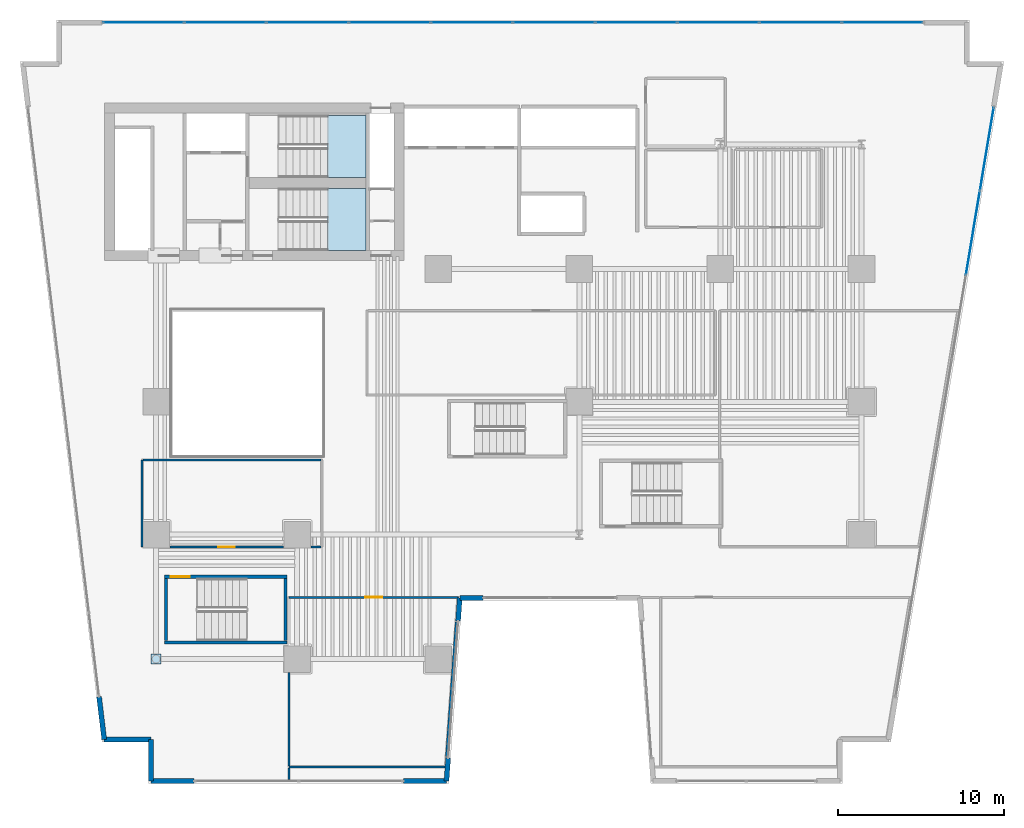
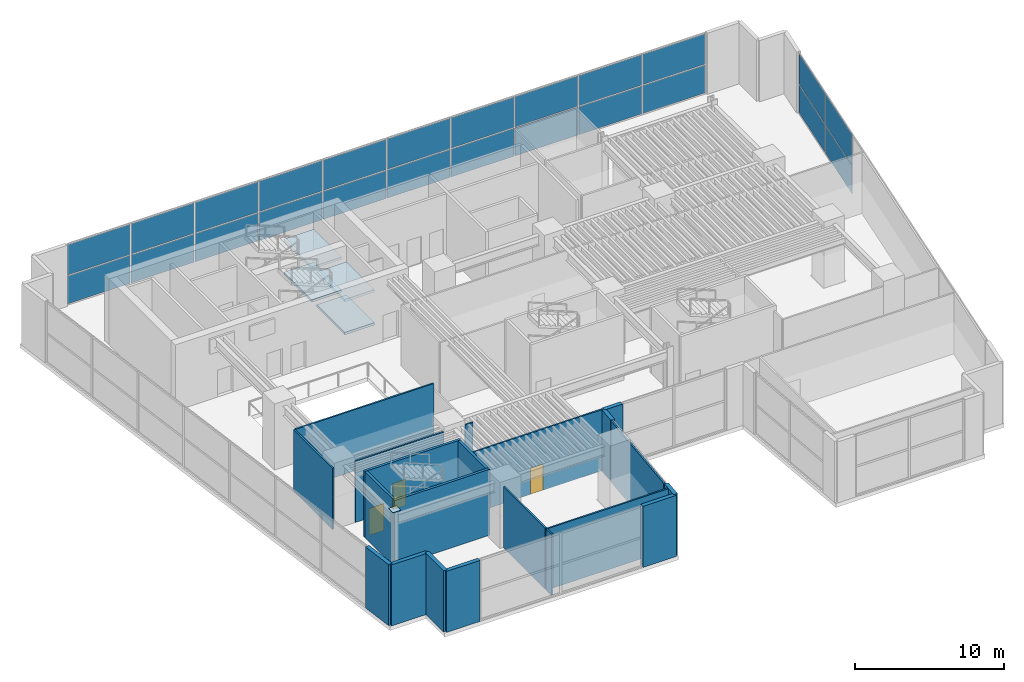
# One storey, part 8 of 16: 25 plates, 21 walls, 4 slabs, 3 doors, 3 openings, 4 elements without a shape of their own.
"""IFC4 building model written with IfcOpenShell, lengths in metres."""

import ifcopenshell
import ifcopenshell.guid

model = None  # the IFC model being written
_history = None  # IfcOwnerHistory: only IFC2X3 demands one
_inside = {}  # id of a spatial element -> (the spatial element, [elements in it])
_under = {}  # id of a project, library or spatial element -> (it, [spatial elements below it])
_declared = {}  # id of a project -> (the project, [libraries it declares])
_typed = {}  # id of a type object -> (the type object, [elements of that type])
_made_of = {}  # id of a material, layer set ... -> (it, [elements and type objects made of it])


def new_model(schema):
    """Start an empty IFC model of exactly this schema.

    Asked for "IFC4X3", IfcOpenShell would pick the latest addendum, in which some entities
    have other attributes; the version numbers below select the first issue.
    IFC2X3 requires an IfcOwnerHistory on every rooted entity: one is made here for all.
    """
    global model, _history
    if schema == "IFC4X3":
        model = ifcopenshell.file(schema_version=(4, 3, 0, 0))
    else:
        model = ifcopenshell.file(schema=schema)
    _inside.clear()
    _under.clear()
    _declared.clear()
    _typed.clear()
    _made_of.clear()
    _history = None
    if model.schema == "IFC2X3":
        org = make("IfcOrganization", Name="unknown")
        user = make(
            "IfcPersonAndOrganization",
            ThePerson=make("IfcPerson", FamilyName="unknown"),
            TheOrganization=org,
        )
        app = make(
            "IfcApplication",
            ApplicationDeveloper=org,
            Version="unknown",
            ApplicationFullName="unknown",
            ApplicationIdentifier="unknown",
        )
        _history = make(
            "IfcOwnerHistory",
            OwningUser=user,
            OwningApplication=app,
            ChangeAction="ADDED",
            CreationDate=0,
        )
    return model


def make(cls, **values):
    """One entity of the class cls with the attributes given. An attribute that is None is left unset."""
    return model.create_entity(
        cls, **{name: value for name, value in values.items() if value is not None}
    )


def rooted(cls, **values):
    """An entity with a GlobalId (a new one), such as an element, a storey or a relation."""
    return make(cls, GlobalId=ifcopenshell.guid.new(), OwnerHistory=_history, **values)


def si_unit(unit_type, name, prefix=None):
    """IfcSIUnit, for example si_unit("LENGTHUNIT", "METRE", prefix="MILLI")."""
    return make("IfcSIUnit", UnitType=unit_type, Prefix=prefix, Name=name)


def assignment(units):
    """IfcUnitAssignment: the units of a project."""
    return None if units is None else make("IfcUnitAssignment", Units=units)


def point(xyz):
    """IfcCartesianPoint."""
    return None if xyz is None else make("IfcCartesianPoint", Coordinates=xyz)


def direction(xyz):
    """IfcDirection."""
    return None if xyz is None else make("IfcDirection", DirectionRatios=xyz)


def frame(location, z_axis=None, x_axis=None):
    """IfcAxis2Placement3D, a coordinate frame: its origin and axes. An axis left out is left unset."""
    return make(
        "IfcAxis2Placement3D",
        Location=point(location),
        Axis=direction(z_axis),
        RefDirection=direction(x_axis),
    )


def frame_2d(location, x_axis=None):
    """IfcAxis2Placement2D, a coordinate frame in the plane: its origin and x axis."""
    return make(
        "IfcAxis2Placement2D", Location=point(location), RefDirection=direction(x_axis)
    )


def origin():
    """The frame at (0, 0, 0) with its axes left unset."""
    return frame((0.0, 0.0, 0.0))


def origin_2d():
    """The frame at (0, 0) in the plane with its x axis left unset."""
    return frame_2d((0.0, 0.0))


def place(relative_to, where):
    """IfcLocalPlacement: puts the frame where relative to a parent placement (None: the world)."""
    return make(
        "IfcLocalPlacement", PlacementRelTo=relative_to, RelativePlacement=where
    )


def context(
    kind, dimensions, precision=None, world=None, true_north=None, identifier=None
):
    """IfcGeometricRepresentationContext, for example the 3D "Model" context."""
    return make(
        "IfcGeometricRepresentationContext",
        ContextIdentifier=identifier,
        ContextType=kind,
        CoordinateSpaceDimension=dimensions,
        Precision=precision,
        WorldCoordinateSystem=world,
        TrueNorth=true_north,
    )


def subcontext(parent, identifier, kind, view, scale=None):
    """IfcGeometricRepresentationSubContext, for example "Body" below "Model"."""
    return make(
        "IfcGeometricRepresentationSubContext",
        ContextIdentifier=identifier,
        ContextType=kind,
        ParentContext=parent,
        TargetScale=scale,
        TargetView=view,
    )


def project(units=None, contexts=None):
    """IfcProject with its units and contexts."""
    return rooted(
        "IfcProject",
        Name="project",
        RepresentationContexts=contexts,
        UnitsInContext=assignment(units),
    )


def spatial(cls, under=None, at=None, **own):
    """A site, building, storey or space (cls), placed at a placement, below another one or the project."""
    s = rooted(cls, ObjectPlacement=at, **own)
    if under is not None:
        _under.setdefault(under.id(), (under, []))[1].append(s)
    return s


def polyline(points):
    """IfcPolyline through the points."""
    return make("IfcPolyline", Points=[point(p) for p in points])


def profile(cls, at=None, kind="AREA", **sizes):
    """A parametric profile (cls). Its sizes go by their IFC names, for example OverallWidth=200.0."""
    return make(cls, ProfileType=kind, Position=at, **sizes)


def rectangle(**sizes):
    """IfcRectangleProfileDef."""
    return profile("IfcRectangleProfileDef", **sizes)


def outline(outer, holes=None, kind="AREA"):
    """IfcArbitraryClosedProfileDef: a profile drawn as a closed curve; with holes, ...WithVoids."""
    if holes is None:
        return make("IfcArbitraryClosedProfileDef", ProfileType=kind, OuterCurve=outer)
    return make(
        "IfcArbitraryProfileDefWithVoids",
        ProfileType=kind,
        OuterCurve=outer,
        InnerCurves=holes,
    )


def extrude(swept, where, along, depth):
    """IfcExtrudedAreaSolid: the profile swept, set in the frame where, extruded along a direction by depth."""
    return make(
        "IfcExtrudedAreaSolid",
        SweptArea=swept,
        Position=where,
        ExtrudedDirection=direction(along),
        Depth=depth,
    )


def shape(context_of_items, identifier, shape_type, items):
    """IfcShapeRepresentation: the items that make up one representation, for example the "Body"."""
    return make(
        "IfcShapeRepresentation",
        ContextOfItems=context_of_items,
        RepresentationIdentifier=identifier,
        RepresentationType=shape_type,
        Items=items,
    )


def material(Name=None, Category=None):
    """IfcMaterial."""
    return make("IfcMaterial", Name=Name, Category=Category)


def layer(
    of_material, thickness, ventilated=None, Name=None, Category=None, Priority=None
):
    """IfcMaterialLayer: one layer of a wall or slab, of a material (None: an air gap)."""
    return make(
        "IfcMaterialLayer",
        Material=of_material,
        LayerThickness=thickness,
        IsVentilated=ventilated,
        Name=Name,
        Category=Category,
        Priority=Priority,
    )


def layer_set(layers, Name=None):
    """IfcMaterialLayerSet."""
    return make("IfcMaterialLayerSet", MaterialLayers=layers, LayerSetName=Name)


def made_of(thing, what):
    """Note that an element or type object is made of a material, layer set ...; save() writes the relation."""
    if what is not None:
        _made_of.setdefault(what.id(), (what, []))[1].append(thing)
    return thing


def type_object(cls, material=None, **own):
    """A type object (cls), such as IfcWallType, which elements share."""
    return made_of(rooted(cls, **own), material)


def element(
    cls,
    number,
    at=None,
    inside=None,
    cuts=None,
    type_object=None,
    material=None,
    context=None,
    identifier="Body",
    shape_type=None,
    held_by="IfcProductDefinitionShape",
    body=None,
    shapes=None,
    **own,
):
    """One element of the class cls, such as IfcWall. Its Tag is "e" and its number.

    at: its placement. inside: the storey or other place that contains it. cuts: it is an
    opening in that element (IfcRelVoidsElement). A single representation is given by context,
    identifier, shape_type and body (its items); several are given by shapes. held_by: the class
    of the entity that holds the representations. save() writes the other relations.
    """
    e = rooted(cls, Tag="e%d" % number, ObjectPlacement=at, **own)
    if body is not None:
        shapes = [shape(context, identifier, shape_type, body)]
    if shapes is not None:
        e.Representation = make(held_by, Representations=shapes)
    if inside is not None:
        _inside.setdefault(inside.id(), (inside, []))[1].append(e)
    if cuts is not None:
        rooted(
            "IfcRelVoidsElement", RelatingBuildingElement=cuts, RelatedOpeningElement=e
        )
    if type_object is not None:
        _typed.setdefault(type_object.id(), (type_object, []))[1].append(e)
    return made_of(e, material)


def fill(opening, filler):
    """IfcRelFillsElement: the door or window that sits in an opening."""
    return rooted(
        "IfcRelFillsElement",
        RelatingOpeningElement=opening,
        RelatedBuildingElement=filler,
    )


def aggregate(whole, parts):
    """IfcRelAggregates: a whole, such as a stair, and the parts it consists of."""
    return rooted("IfcRelAggregates", RelatingObject=whole, RelatedObjects=parts)


def save(model, path):
    """Write the relations noted so far, then the file.

    IfcRelAggregates (storeys below a building ...), IfcRelContainedInSpatialStructure (elements
    in a storey), IfcRelDefinesByType, IfcRelAssociatesMaterial and IfcRelDeclares: one each for
    every whole, place, type object, material and project.
    """
    for whole, parts in _under.values():
        aggregate(whole, parts)
    for where, things in _inside.values():
        rooted(
            "IfcRelContainedInSpatialStructure",
            RelatedElements=things,
            RelatingStructure=where,
        )
    for kind, things in _typed.values():
        rooted("IfcRelDefinesByType", RelatedObjects=things, RelatingType=kind)
    for what, things in _made_of.values():
        rooted("IfcRelAssociatesMaterial", RelatedObjects=things, RelatingMaterial=what)
    for by, libraries in _declared.values():
        rooted("IfcRelDeclares", RelatingContext=by, RelatedDefinitions=libraries)
    model.write(path)


model = new_model("IFC4")

# Units and contexts
model_context = context("Model", 3, precision=1e-05, world=origin(), true_north=direction((0.0, 1.0)))
body_context = subcontext(model_context, "Body", "Model", "MODEL_VIEW")
ifc_project = project(units=[si_unit("LENGTHUNIT", "METRE"), si_unit("AREAUNIT", "SQUARE_METRE"), si_unit("VOLUMEUNIT", "CUBIC_METRE"), si_unit("PLANEANGLEUNIT", "RADIAN"), si_unit("MASSUNIT", "GRAM", prefix="KILO")], contexts=[model_context])

# Site, building, storey
site_placement = place(None, origin())
site = spatial("IfcSite", under=ifc_project, at=site_placement, CompositionType="ELEMENT")
building_placement = place(site_placement, origin())
building = spatial("IfcBuilding", under=site, at=building_placement, Name="Caeloran Harvest Quay", CompositionType="ELEMENT")
storey_placement = place(building_placement, frame((0.0, 0.0, 16.199951171875)))
storey = spatial("IfcBuildingStorey", under=building, at=storey_placement, Name="L04", CompositionType="ELEMENT", Elevation=16.199951171875)

# Curtain wall, plates
ifc_material_1 = material(Name="Aluminium 6063-T6 and Low-E Glazing", Category="aluminium")
ifc_layer_1 = layer(ifc_material_1, 0.179931640625, Name="Aluminium 6063-T6 and Low-E Glazing")
ifc_layer_set_1 = layer_set([ifc_layer_1], Name="Aluminium 6063-T6 and Low-E Glazing")
curtain_wall_type = type_object("IfcCurtainWallType", Name="CW-SYS-CW-1", PredefinedType="USERDEFINED", material=ifc_layer_set_1)
curtain_wall_1_placement = place(storey_placement, origin())
curtain_wall_1 = element("IfcCurtainWall", 1, at=curtain_wall_1_placement, inside=storey, type_object=curtain_wall_type, Name="L04 Unitised Curtain Wall CW-1 Run 6", ObjectType="CURTAIN_WALL", PredefinedType="USERDEFINED")
ifc_material_2 = material(Name="Low-E Double Glazed Vision Glass Unit", Category="glass")
ifc_layer_2 = layer(ifc_material_2, 0.035888671875, Name="Low-E Double Glazed Vision Glass Unit")
ifc_layer_set_2 = layer_set([ifc_layer_2], Name="Low-E Double Glazed Vision Glass Unit")
plate_type_1 = type_object("IfcPlateType", Name="CW-VISION-PANEL", PredefinedType="CURTAIN_PANEL", material=ifc_layer_set_2)
plate_1_placement = place(storey_placement, frame((7.7451171875, 45.85009765625, 0.080078125), z_axis=(0.0, 0.0, 1.0), x_axis=(1.0, 0.0, 0.0)))
plate_1 = element("IfcPlate", 2, at=plate_1_placement, type_object=plate_type_1, Name="CW-1 panel 1.1", PredefinedType="CURTAIN_PANEL", context=body_context, shape_type="SweptSolid", body=[
    extrude(rectangle(XDim=4.830078125, YDim=0.035888671875, at=origin_2d()), origin(), (0.0, 0.0, 1.0), 2.280029296875),
])
plate_2_placement = place(storey_placement, frame((7.7451171875, 45.85009765625, 2.43994140625), z_axis=(0.0, 0.0, 1.0), x_axis=(1.0, 0.0, 0.0)))
plate_2 = element("IfcPlate", 3, at=plate_2_placement, type_object=plate_type_1, Name="CW-1 panel 1.2", PredefinedType="CURTAIN_PANEL", context=body_context, shape_type="SweptSolid", body=[
    extrude(rectangle(XDim=4.830078125, YDim=0.035888671875, at=origin_2d()), origin(), (0.0, 0.0, 1.0), 2.47998046875),
])
plate_3_placement = place(storey_placement, frame((12.675048828125, 45.85009765625, 0.080078125), z_axis=(0.0, 0.0, 1.0), x_axis=(1.0, 0.0, 0.0)))
plate_3 = element("IfcPlate", 4, at=plate_3_placement, type_object=plate_type_1, Name="CW-1 panel 2.1", PredefinedType="CURTAIN_PANEL", context=body_context, shape_type="SweptSolid", body=[
    extrude(rectangle(XDim=4.8701171875, YDim=0.035888671875, at=origin_2d()), origin(), (0.0, 0.0, 1.0), 2.280029296875),
])
plate_4_placement = place(storey_placement, frame((12.675048828125, 45.85009765625, 2.43994140625), z_axis=(0.0, 0.0, 1.0), x_axis=(1.0, 0.0, 0.0)))
plate_4 = element("IfcPlate", 5, at=plate_4_placement, type_object=plate_type_1, Name="CW-1 panel 2.2", PredefinedType="CURTAIN_PANEL", context=body_context, shape_type="SweptSolid", body=[
    extrude(rectangle(XDim=4.8701171875, YDim=0.035888671875, at=origin_2d()), origin(), (0.0, 0.0, 1.0), 2.47998046875),
])
plate_5_placement = place(storey_placement, frame((17.625, 45.85009765625, 0.080078125), z_axis=(0.0, 0.0, 1.0), x_axis=(1.0, 0.0, 0.0)))
plate_5 = element("IfcPlate", 6, at=plate_5_placement, type_object=plate_type_1, Name="CW-1 panel 3.1", PredefinedType="CURTAIN_PANEL", context=body_context, shape_type="SweptSolid", body=[
    extrude(rectangle(XDim=4.8701171875, YDim=0.035888671875, at=origin_2d()), origin(), (0.0, 0.0, 1.0), 2.280029296875),
])
plate_6_placement = place(storey_placement, frame((17.625, 45.85009765625, 2.43994140625), z_axis=(0.0, 0.0, 1.0), x_axis=(1.0, 0.0, 0.0)))
plate_6 = element("IfcPlate", 7, at=plate_6_placement, type_object=plate_type_1, Name="CW-1 panel 3.2", PredefinedType="CURTAIN_PANEL", context=body_context, shape_type="SweptSolid", body=[
    extrude(rectangle(XDim=4.8701171875, YDim=0.035888671875, at=origin_2d()), origin(), (0.0, 0.0, 1.0), 2.47998046875),
])
plate_7_placement = place(storey_placement, frame((22.574951171875, 45.85009765625, 0.080078125), z_axis=(0.0, 0.0, 1.0), x_axis=(1.0, 0.0, 0.0)))
plate_7 = element("IfcPlate", 8, at=plate_7_placement, type_object=plate_type_1, Name="CW-1 panel 4.1", PredefinedType="CURTAIN_PANEL", context=body_context, shape_type="SweptSolid", body=[
    extrude(rectangle(XDim=4.8701171875, YDim=0.035888671875, at=origin_2d()), origin(), (0.0, 0.0, 1.0), 2.280029296875),
])
plate_8_placement = place(storey_placement, frame((22.574951171875, 45.85009765625, 2.43994140625), z_axis=(0.0, 0.0, 1.0), x_axis=(1.0, 0.0, 0.0)))
plate_8 = element("IfcPlate", 9, at=plate_8_placement, type_object=plate_type_1, Name="CW-1 panel 4.2", PredefinedType="CURTAIN_PANEL", context=body_context, shape_type="SweptSolid", body=[
    extrude(rectangle(XDim=4.8701171875, YDim=0.035888671875, at=origin_2d()), origin(), (0.0, 0.0, 1.0), 2.47998046875),
])
plate_9_placement = place(storey_placement, frame((27.52490234375, 45.85009765625, 0.080078125), z_axis=(0.0, 0.0, 1.0), x_axis=(1.0, 0.0, 0.0)))
plate_9 = element("IfcPlate", 10, at=plate_9_placement, type_object=plate_type_1, Name="CW-1 panel 5.1", PredefinedType="CURTAIN_PANEL", context=body_context, shape_type="SweptSolid", body=[
    extrude(rectangle(XDim=4.8701171875, YDim=0.035888671875, at=origin_2d()), origin(), (0.0, 0.0, 1.0), 2.280029296875),
])
plate_10_placement = place(storey_placement, frame((27.52490234375, 45.85009765625, 2.43994140625), z_axis=(0.0, 0.0, 1.0), x_axis=(1.0, 0.0, 0.0)))
plate_10 = element("IfcPlate", 11, at=plate_10_placement, type_object=plate_type_1, Name="CW-1 panel 5.2", PredefinedType="CURTAIN_PANEL", context=body_context, shape_type="SweptSolid", body=[
    extrude(rectangle(XDim=4.8701171875, YDim=0.035888671875, at=origin_2d()), origin(), (0.0, 0.0, 1.0), 2.47998046875),
])
plate_11_placement = place(storey_placement, frame((32.47509765625, 45.85009765625, 0.080078125), z_axis=(0.0, 0.0, 1.0), x_axis=(1.0, 0.0, 0.0)))
plate_11 = element("IfcPlate", 12, at=plate_11_placement, type_object=plate_type_1, Name="CW-1 panel 6.1", PredefinedType="CURTAIN_PANEL", context=body_context, shape_type="SweptSolid", body=[
    extrude(rectangle(XDim=4.8701171875, YDim=0.035888671875, at=origin_2d()), origin(), (0.0, 0.0, 1.0), 2.280029296875),
])
plate_12_placement = place(storey_placement, frame((32.47509765625, 45.85009765625, 2.43994140625), z_axis=(0.0, 0.0, 1.0), x_axis=(1.0, 0.0, 0.0)))
plate_12 = element("IfcPlate", 13, at=plate_12_placement, type_object=plate_type_1, Name="CW-1 panel 6.2", PredefinedType="CURTAIN_PANEL", context=body_context, shape_type="SweptSolid", body=[
    extrude(rectangle(XDim=4.8701171875, YDim=0.035888671875, at=origin_2d()), origin(), (0.0, 0.0, 1.0), 2.47998046875),
])
plate_13_placement = place(storey_placement, frame((37.425048828125, 45.85009765625, 0.080078125), z_axis=(0.0, 0.0, 1.0), x_axis=(1.0, 0.0, 0.0)))
plate_13 = element("IfcPlate", 14, at=plate_13_placement, type_object=plate_type_1, Name="CW-1 panel 7.1", PredefinedType="CURTAIN_PANEL", context=body_context, shape_type="SweptSolid", body=[
    extrude(rectangle(XDim=4.8701171875, YDim=0.035888671875, at=origin_2d()), origin(), (0.0, 0.0, 1.0), 2.280029296875),
])
plate_14_placement = place(storey_placement, frame((37.425048828125, 45.85009765625, 2.43994140625), z_axis=(0.0, 0.0, 1.0), x_axis=(1.0, 0.0, 0.0)))
plate_14 = element("IfcPlate", 15, at=plate_14_placement, type_object=plate_type_1, Name="CW-1 panel 7.2", PredefinedType="CURTAIN_PANEL", context=body_context, shape_type="SweptSolid", body=[
    extrude(rectangle(XDim=4.8701171875, YDim=0.035888671875, at=origin_2d()), origin(), (0.0, 0.0, 1.0), 2.47998046875),
])
plate_15_placement = place(storey_placement, frame((42.375, 45.85009765625, 0.080078125), z_axis=(0.0, 0.0, 1.0), x_axis=(1.0, 0.0, 0.0)))
plate_15 = element("IfcPlate", 16, at=plate_15_placement, type_object=plate_type_1, Name="CW-1 panel 8.1", PredefinedType="CURTAIN_PANEL", context=body_context, shape_type="SweptSolid", body=[
    extrude(rectangle(XDim=4.8701171875, YDim=0.035888671875, at=origin_2d()), origin(), (0.0, 0.0, 1.0), 2.280029296875),
])
plate_16_placement = place(storey_placement, frame((42.375, 45.85009765625, 2.43994140625), z_axis=(0.0, 0.0, 1.0), x_axis=(1.0, 0.0, 0.0)))
plate_16 = element("IfcPlate", 17, at=plate_16_placement, type_object=plate_type_1, Name="CW-1 panel 8.2", PredefinedType="CURTAIN_PANEL", context=body_context, shape_type="SweptSolid", body=[
    extrude(rectangle(XDim=4.8701171875, YDim=0.035888671875, at=origin_2d()), origin(), (0.0, 0.0, 1.0), 2.47998046875),
])
plate_17_placement = place(storey_placement, frame((47.324951171875, 45.85009765625, 0.080078125), z_axis=(0.0, 0.0, 1.0), x_axis=(1.0, 0.0, 0.0)))
plate_17 = element("IfcPlate", 18, at=plate_17_placement, type_object=plate_type_1, Name="CW-1 panel 9.1", PredefinedType="CURTAIN_PANEL", context=body_context, shape_type="SweptSolid", body=[
    extrude(rectangle(XDim=4.8701171875, YDim=0.035888671875, at=origin_2d()), origin(), (0.0, 0.0, 1.0), 2.280029296875),
])
plate_18_placement = place(storey_placement, frame((47.324951171875, 45.85009765625, 2.43994140625), z_axis=(0.0, 0.0, 1.0), x_axis=(1.0, 0.0, 0.0)))
plate_18 = element("IfcPlate", 19, at=plate_18_placement, type_object=plate_type_1, Name="CW-1 panel 9.2", PredefinedType="CURTAIN_PANEL", context=body_context, shape_type="SweptSolid", body=[
    extrude(rectangle(XDim=4.8701171875, YDim=0.035888671875, at=origin_2d()), origin(), (0.0, 0.0, 1.0), 2.47998046875),
])
plate_19_placement = place(storey_placement, frame((52.2548828125, 45.85009765625, 0.080078125), z_axis=(0.0, 0.0, 1.0), x_axis=(1.0, 0.0, 0.0)))
plate_19 = element("IfcPlate", 20, at=plate_19_placement, type_object=plate_type_1, Name="CW-1 panel 10.1", PredefinedType="CURTAIN_PANEL", context=body_context, shape_type="SweptSolid", body=[
    extrude(rectangle(XDim=4.830078125, YDim=0.035888671875, at=origin_2d()), origin(), (0.0, 0.0, 1.0), 2.280029296875),
])
plate_20_placement = place(storey_placement, frame((52.2548828125, 45.85009765625, 2.43994140625), z_axis=(0.0, 0.0, 1.0), x_axis=(1.0, 0.0, 0.0)))
plate_20 = element("IfcPlate", 21, at=plate_20_placement, type_object=plate_type_1, Name="CW-1 panel 10.2", PredefinedType="CURTAIN_PANEL", context=body_context, shape_type="SweptSolid", body=[
    extrude(rectangle(XDim=4.830078125, YDim=0.035888671875, at=origin_2d()), origin(), (0.0, 0.0, 1.0), 2.47998046875),
])
aggregate(curtain_wall_1, [plate_1, plate_2, plate_3, plate_4, plate_5, plate_6, plate_7, plate_8, plate_9, plate_10, plate_11, plate_12, plate_13, plate_14, plate_15, plate_16, plate_17, plate_18, plate_19, plate_20])

curtain_wall_2_placement = place(storey_placement, origin())
curtain_wall_2 = element("IfcCurtainWall", 22, at=curtain_wall_2_placement, inside=storey, type_object=curtain_wall_type, Name="L04 Unitised Curtain Wall CW-1 Run 9", ObjectType="CURTAIN_WALL", PredefinedType="USERDEFINED")
plate_21_placement = place(storey_placement, frame((58.553955078125, 38.224853515625, 0.080078125), z_axis=(0.0, 0.0, 1.0), x_axis=(-0.164174131837, -0.986431373404, 0.0)))
plate_21 = element("IfcPlate", 23, at=plate_21_placement, type_object=plate_type_1, Name="CW-1 panel 1.1", PredefinedType="CURTAIN_PANEL", context=body_context, shape_type="SweptSolid", body=[
    extrude(rectangle(XDim=5.031494140625, YDim=0.035888671875, at=origin_2d()), origin(), (0.0, 0.0, 1.0), 2.280029296875),
])
plate_22_placement = place(storey_placement, frame((58.553955078125, 38.224853515625, 2.43994140625), z_axis=(0.0, 0.0, 1.0), x_axis=(-0.164174131837, -0.986431373404, 0.0)))
plate_22 = element("IfcPlate", 24, at=plate_22_placement, type_object=plate_type_1, Name="CW-1 panel 1.2", PredefinedType="CURTAIN_PANEL", context=body_context, shape_type="SweptSolid", body=[
    extrude(rectangle(XDim=5.031494140625, YDim=0.035888671875, at=origin_2d()), origin(), (0.0, 0.0, 1.0), 2.47998046875),
])
plate_23_placement = place(storey_placement, frame((57.71142578125, 33.1630859375, 0.080078125), z_axis=(0.0, 0.0, 1.0), x_axis=(-0.164174131837, -0.986431373404, 0.0)))
plate_23 = element("IfcPlate", 25, at=plate_23_placement, type_object=plate_type_1, Name="CW-1 panel 2.1", PredefinedType="CURTAIN_PANEL", context=body_context, shape_type="SweptSolid", body=[
    extrude(rectangle(XDim=5.071533203125, YDim=0.035888671875, at=origin_2d()), origin(), (0.0, 0.0, 1.0), 2.280029296875),
])
plate_24_placement = place(storey_placement, frame((57.71142578125, 33.1630859375, 2.43994140625), z_axis=(0.0, 0.0, 1.0), x_axis=(-0.164174131837, -0.986431373404, 0.0)))
plate_24 = element("IfcPlate", 26, at=plate_24_placement, type_object=plate_type_1, Name="CW-1 panel 2.2", PredefinedType="CURTAIN_PANEL", context=body_context, shape_type="SweptSolid", body=[
    extrude(rectangle(XDim=5.071533203125, YDim=0.035888671875, at=origin_2d()), origin(), (0.0, 0.0, 1.0), 2.47998046875),
])
aggregate(curtain_wall_2, [plate_21, plate_22, plate_23, plate_24])

# Plate
ifc_material_3 = material(Name="Steel HISTAR 460", Category="steel")
ifc_layer_3 = layer(ifc_material_3, 0.034912109375, Name="Steel HISTAR 460")
ifc_layer_set_3 = layer_set([ifc_layer_3], Name="Steel HISTAR 460")
plate_type_2 = type_object("IfcPlateType", Name="PLT-KN1-35MM", PredefinedType="SHEET", material=ifc_layer_set_3)
plate_25_placement = place(storey_placement, frame((8.5, 7.5, 5.39501953125), z_axis=(0.0, 0.0, 1.0), x_axis=(1.0, 0.0, 0.0)))
element("IfcPlate", 27, at=plate_25_placement, inside=storey, type_object=plate_type_2, Name="L04 Column Head Closed End Cap Plate (8.5, 7.5)", PredefinedType="SHEET", context=body_context, shape_type="SweptSolid", body=[
    extrude(rectangle(XDim=0.60009765625, YDim=0.60009765625, at=origin_2d()), origin(), (0.0, 0.0, 1.0), 0.0400390625),
])

# Stair, slabs
ifc_material_4 = material(Name="Concrete C50/60", Category="concrete")
stair_type = type_object("IfcStairType", Name="STAIR-STC-180", PredefinedType="HALF_TURN_STAIR", material=ifc_material_4)
stair_1_placement = place(storey_placement, origin())
stair_1 = element("IfcStair", 28, at=stair_1_placement, inside=storey, type_object=stair_type, Name="L04 Core Pressurized Exit Stair ST-C1", PredefinedType="HALF_TURN_STAIR")
ifc_layer_4 = layer(ifc_material_4, 0.219970703125, Name="Concrete C50/60")
ifc_layer_set_4 = layer_set([ifc_layer_4], Name="Concrete C50/60")
slab_type = type_object("IfcSlabType", Name="STAIR-LANDING-220", PredefinedType="LANDING", material=ifc_layer_set_4)
slab_1_placement = place(storey_placement, frame((0.0, 0.0, 1.150146484375)))
slab_1 = element("IfcSlab", 29, at=slab_1_placement, type_object=slab_type, Name="ST-C1 landing 1", PredefinedType="LANDING", context=body_context, shape_type="SweptSolid", body=[
    extrude(outline(polyline([(18.840087890625, 36.5), (21.14990234375, 36.5), (21.14990234375, 40.25), (18.840087890625, 40.25), (18.840087890625, 36.5)])), origin(), (0.0, 0.0, 1.0), 0.199951171875),
])
slab_2_placement = place(storey_placement, frame((0.0, 0.0, 3.85009765625)))
slab_2 = element("IfcSlab", 30, at=slab_2_placement, type_object=slab_type, Name="ST-C1 landing 3", PredefinedType="LANDING", context=body_context, shape_type="SweptSolid", body=[
    extrude(outline(polyline([(18.840087890625, 36.5), (21.14990234375, 36.5), (21.14990234375, 40.25), (18.840087890625, 40.25), (18.840087890625, 36.5)])), origin(), (0.0, 0.0, 1.0), 0.199951171875),
])
aggregate(stair_1, [slab_1, slab_2])

stair_2_placement = place(storey_placement, origin())
stair_2 = element("IfcStair", 31, at=stair_2_placement, inside=storey, type_object=stair_type, Name="L04 Core Pressurized Exit Stair ST-C2", PredefinedType="HALF_TURN_STAIR")
slab_3_placement = place(storey_placement, frame((0.0, 0.0, 1.150146484375)))
slab_3 = element("IfcSlab", 32, at=slab_3_placement, type_object=slab_type, Name="ST-C2 landing 1", PredefinedType="LANDING", context=body_context, shape_type="SweptSolid", body=[
    extrude(outline(polyline([(18.840087890625, 32.10009765625), (21.14990234375, 32.10009765625), (21.14990234375, 35.85009765625), (18.840087890625, 35.85009765625), (18.840087890625, 32.10009765625)])), origin(), (0.0, 0.0, 1.0), 0.199951171875),
])
slab_4_placement = place(storey_placement, frame((0.0, 0.0, 3.85009765625)))
slab_4 = element("IfcSlab", 33, at=slab_4_placement, type_object=slab_type, Name="ST-C2 landing 3", PredefinedType="LANDING", context=body_context, shape_type="SweptSolid", body=[
    extrude(outline(polyline([(18.840087890625, 32.10009765625), (21.14990234375, 32.10009765625), (21.14990234375, 35.85009765625), (18.840087890625, 35.85009765625), (18.840087890625, 32.10009765625)])), origin(), (0.0, 0.0, 1.0), 0.199951171875),
])
aggregate(stair_2, [slab_3, slab_4])

# Walls
ifc_material_5 = material(Name="Precast concrete C50/60", Category="concrete")
ifc_layer_5 = layer(ifc_material_5, 0.300048828125, Name="Precast concrete C50/60")
ifc_layer_set_5 = layer_set([ifc_layer_5], Name="Precast concrete C50/60")
wall_type_1 = type_object("IfcWallType", Name="ENV-WALL-EW-300", PredefinedType="STANDARD", material=ifc_layer_set_5)
wall_1_placement = place(storey_placement, frame((8.194091796875, 0.14990234375, 0.0), z_axis=(0.0, 0.0, 1.0), x_axis=(0.0, 1.0, 0.0)))
element("IfcWall", 34, at=wall_1_placement, inside=storey, type_object=wall_type_1, Name="L04 Exterior Precast Concrete Facade Wall 1", PredefinedType="STANDARD", context=body_context, shape_type="SweptSolid", body=[
    extrude(rectangle(XDim=2.5, YDim=0.300048828125, at=frame_2d((1.25, 0.0))), origin(), (0.0, 0.0, 1.0), 5.0),
])
wall_2_placement = place(storey_placement, frame((8.194091796875, 2.64990234375, 0.0), z_axis=(0.0, 0.0, 1.0), x_axis=(-1.0, 0.0, 0.0)))
element("IfcWall", 35, at=wall_2_placement, inside=storey, type_object=wall_type_1, Name="L04 Exterior Precast Concrete Facade Wall 2", PredefinedType="STANDARD", context=body_context, shape_type="SweptSolid", body=[
    extrude(rectangle(XDim=2.818359375, YDim=0.300048828125, at=frame_2d((1.4091796875, 0.0))), origin(), (0.0, 0.0, 1.0), 5.0),
])
wall_3_placement = place(storey_placement, frame((5.375732421875, 2.64990234375, 0.0), z_axis=(0.0, 0.0, 1.0), x_axis=(-0.119630264411, 0.992818513041, 0.0)))
element("IfcWall", 36, at=wall_3_placement, inside=storey, type_object=wall_type_1, Name="L04 Exterior Facade Corner Pier Wall 3A", PredefinedType="STANDARD", context=body_context, shape_type="SweptSolid", body=[
    extrude(rectangle(XDim=2.599853515625, YDim=0.300048828125, at=frame_2d((1.2998046875, 0.0))), origin(), (0.0, 0.0, 1.0), 5.0),
])
wall_4_placement = place(storey_placement, frame((28.196533203125, 11.18994140625, 0.0), z_axis=(0.0, 0.0, 1.0), x_axis=(-1.0, 0.0, 0.0)))
element("IfcWall", 37, at=wall_4_placement, inside=storey, type_object=wall_type_1, Name="L04 Exterior Facade Corner Pier Wall 14B", PredefinedType="STANDARD", context=body_context, shape_type="SweptSolid", body=[
    extrude(rectangle(XDim=1.400146484375, YDim=0.300048828125, at=frame_2d((0.7001953125, 0.0))), origin(), (0.0, 0.0, 1.0), 5.0),
])
wall_5_placement = place(storey_placement, frame((26.79638671875, 11.18994140625, 0.0), z_axis=(0.0, 0.0, 1.0), x_axis=(-0.072201344972, -0.997390077043, 0.0)))
element("IfcWall", 38, at=wall_5_placement, inside=storey, type_object=wall_type_1, Name="L04 Exterior Facade Corner Pier Wall 15A", PredefinedType="STANDARD", context=body_context, shape_type="SweptSolid", body=[
    extrude(rectangle(XDim=1.39990234375, YDim=0.300048828125, at=frame_2d((0.699951171875, 0.0))), origin(), (0.0, 0.0, 1.0), 5.0),
])
wall_6_placement = place(storey_placement, frame((26.09765625, 1.54638671875, 0.0), z_axis=(0.0, 0.0, 1.0), x_axis=(-0.072188788144, -0.997390985956, 0.0)))
element("IfcWall", 39, at=wall_6_placement, inside=storey, type_object=wall_type_1, Name="L04 Exterior Facade Corner Pier Wall 15B", PredefinedType="STANDARD", context=body_context, shape_type="SweptSolid", body=[
    extrude(rectangle(XDim=1.400146484375, YDim=0.300048828125, at=frame_2d((0.7001953125, 0.0))), origin(), (0.0, 0.0, 1.0), 5.0),
])
wall_7_placement = place(storey_placement, frame((25.99658203125, 0.14990234375, 0.0), z_axis=(0.0, 0.0, 1.0), x_axis=(-1.0, 0.0, 0.0)))
element("IfcWall", 40, at=wall_7_placement, inside=storey, type_object=wall_type_1, Name="L04 Exterior Facade Corner Pier Wall 16A", PredefinedType="STANDARD", context=body_context, shape_type="SweptSolid", body=[
    extrude(rectangle(XDim=2.60009765625, YDim=0.300048828125, at=frame_2d((1.300048828125, 0.0))), origin(), (0.0, 0.0, 1.0), 5.0),
])
wall_8_placement = place(storey_placement, frame((10.7939453125, 0.14990234375, 0.0), z_axis=(0.0, 0.0, 1.0), x_axis=(-1.0, 0.0, 0.0)))
element("IfcWall", 41, at=wall_8_placement, inside=storey, type_object=wall_type_1, Name="L04 Exterior Facade Corner Pier Wall 16B", PredefinedType="STANDARD", context=body_context, shape_type="SweptSolid", body=[
    extrude(rectangle(XDim=2.599853515625, YDim=0.300048828125, at=frame_2d((1.2998046875, 0.0))), origin(), (0.0, 0.0, 1.0), 5.0),
])
ifc_material_6 = material(Name="Twin-Stud Mineral-Wool Acoustic Gypsum Partition", Category="gypsum")
ifc_layer_6 = layer(ifc_material_6, 0.125, Name="Twin-Stud Mineral-Wool Acoustic Gypsum Partition")
ifc_layer_set_6 = layer_set([ifc_layer_6], Name="Twin-Stud Mineral-Wool Acoustic Gypsum Partition")
wall_type_2 = type_object("IfcWallType", Name="INT-WALL-PW-125", PredefinedType="PARTITIONING", material=ifc_layer_set_6)
wall_9_placement = place(storey_placement, frame((18.4326171875, 14.25, 0.0), z_axis=(0.0, 0.0, 1.0), x_axis=(-1.0, 0.0, 0.0)))
element("IfcWall", 42, at=wall_9_placement, inside=storey, type_object=wall_type_2, Name="Urban Agriculture Culinary Teaching Classroom Partition Wall", PredefinedType="PARTITIONING", context=body_context, shape_type="SweptSolid", body=[
    extrude(rectangle(XDim=0.607666015625, YDim=0.125, at=frame_2d((0.3037109375, 0.0))), origin(), (0.0, 0.0, 1.0), 5.0),
])

# Wall, opening, door
wall_10_placement = place(storey_placement, frame((16.175048828125, 14.25, 0.0), z_axis=(0.0, 0.0, 1.0), x_axis=(-1.0, 0.0, 0.0)))
wall_10 = element("IfcWall", 43, at=wall_10_placement, inside=storey, type_object=wall_type_2, Name="Urban Agriculture Culinary Teaching Classroom Partition Wall", PredefinedType="PARTITIONING", context=body_context, shape_type="SweptSolid", body=[
    extrude(rectangle(XDim=6.85009765625, YDim=0.125, at=frame_2d((3.425048828125, 0.0))), origin(), (0.0, 0.0, 1.0), 5.0),
])
opening_1_placement = place(wall_10_placement, frame((2.925048828125, 0.0, 0.0)))
opening_1 = element("IfcOpeningElement", 44, at=opening_1_placement, cuts=wall_10, Name="Opening ID-01", PredefinedType="OPENING", context=body_context, shape_type="SweptSolid", body=[
    extrude(rectangle(XDim=1.0, YDim=2.14990234375, at=frame_2d((0.5, 1.074951171875))), frame((0.0, 0.072509765625, 0.0), z_axis=(0.0, -1.0, 0.0), x_axis=(1.0, 0.0, 0.0)), (0.0, 0.0, 1.0), 0.14501953125),
])
ifc_material_7 = material(Name="FSC Solid-Core Ash Timber and Acoustic Seal", Category="wood")
door_type_1 = type_object("IfcDoorType", Name="INTDOOR-ID-01", OperationType="NOTDEFINED", PredefinedType="DOOR", material=ifc_material_7)
door_1_placement = place(opening_1_placement, origin())
door_1 = element("IfcDoor", 45, at=door_1_placement, inside=storey, type_object=door_type_1, Name="Urban Agriculture Culinary Teaching Classroom Access Door", OperationType="SINGLE_SWING_RIGHT", OverallHeight=2.14990234375, OverallWidth=1.0, PredefinedType="DOOR", context=body_context, shape_type="SweptSolid", body=[
    extrude(rectangle(XDim=1.0, YDim=2.14990234375, at=frame_2d((0.5, 1.074951171875))), frame((0.0, 0.02490234375, 0.0), z_axis=(0.0, -1.0, 0.0), x_axis=(1.0, 0.0, 0.0)), (0.0, 0.0, 1.0), 0.050048828125),
])
fill(opening_1, door_1)

# Walls
wall_11_placement = place(storey_placement, frame((7.64990234375, 14.25, 0.0), z_axis=(0.0, 0.0, 1.0), x_axis=(0.0, 1.0, 0.0)))
element("IfcWall", 46, at=wall_11_placement, inside=storey, type_object=wall_type_2, Name="Urban Agriculture Culinary Teaching Classroom Partition Wall", PredefinedType="PARTITIONING", context=body_context, shape_type="SweptSolid", body=[
    extrude(rectangle(XDim=5.25, YDim=0.125, at=frame_2d((2.625, 0.0))), origin(), (0.0, 0.0, 1.0), 5.0),
])
wall_12_placement = place(storey_placement, frame((7.717529296875, 19.5, 0.0), z_axis=(0.0, 0.0, 1.0), x_axis=(1.0, 0.0, 0.0)))
element("IfcWall", 47, at=wall_12_placement, inside=storey, type_object=wall_type_2, Name="Urban Agriculture Culinary Teaching Classroom Partition Wall", PredefinedType="PARTITIONING", context=body_context, shape_type="SweptSolid", body=[
    extrude(rectangle(XDim=10.715087890625, YDim=0.125, at=frame_2d((5.357421875, 0.0))), origin(), (0.0, 0.0, 1.0), 5.0),
])
wall_13_placement = place(storey_placement, frame((26.58056640625, 9.727294921875, 0.0), z_axis=(0.0, 0.0, 1.0), x_axis=(-0.072281196228, -0.997384293375, 0.0)))
element("IfcWall", 48, at=wall_13_placement, inside=storey, type_object=wall_type_2, Name="Sensory Nutrition Seminar Auditorium Partition Wall", PredefinedType="PARTITIONING", context=body_context, shape_type="SweptSolid", body=[
    extrude(rectangle(XDim=8.119873046875, YDim=0.125, at=frame_2d((4.06005859375, 0.0))), origin(), (0.0, 0.0, 1.0), 5.0),
])
wall_14_placement = place(storey_placement, frame((25.902587890625, 1.0, 0.0), z_axis=(0.0, 0.0, 1.0), x_axis=(-1.0, 0.0, 0.0)))
element("IfcWall", 49, at=wall_14_placement, inside=storey, type_object=wall_type_2, Name="Sensory Nutrition Seminar Auditorium Partition Wall", PredefinedType="PARTITIONING", context=body_context, shape_type="SweptSolid", body=[
    extrude(rectangle(XDim=9.402587890625, YDim=0.125, at=frame_2d((4.701171875, 0.0))), origin(), (0.0, 0.0, 1.0), 5.0),
])
wall_15_placement = place(storey_placement, frame((16.5, 0.2548828125, 0.0), z_axis=(0.0, 0.0, 1.0), x_axis=(0.0, 1.0, 0.0)))
element("IfcWall", 50, at=wall_15_placement, inside=storey, type_object=wall_type_2, Name="Sensory Nutrition Seminar Auditorium Partition Wall", PredefinedType="PARTITIONING", context=body_context, shape_type="SweptSolid", body=[
    extrude(rectangle(XDim=0.677734375, YDim=0.125, at=frame_2d((0.3388671875, 0.0))), origin(), (0.0, 0.0, 1.0), 5.0),
])
wall_16_placement = place(storey_placement, frame((16.5, 1.0673828125, 0.0), z_axis=(0.0, 0.0, 1.0), x_axis=(0.0, 1.0, 0.0)))
element("IfcWall", 51, at=wall_16_placement, inside=storey, type_object=wall_type_2, Name="Sensory Nutrition Seminar Auditorium Partition Wall", PredefinedType="PARTITIONING", context=body_context, shape_type="SweptSolid", body=[
    extrude(rectangle(XDim=5.607666015625, YDim=0.125, at=frame_2d((2.8037109375, 0.0))), origin(), (0.0, 0.0, 1.0), 5.0),
])

# Wall, opening, door
wall_17_placement = place(storey_placement, frame((16.5, 11.219970703125, 0.0), z_axis=(0.0, 0.0, 1.0), x_axis=(1.0, 0.0, 0.0)))
wall_17 = element("IfcWall", 52, at=wall_17_placement, inside=storey, type_object=wall_type_2, Name="Sensory Nutrition Seminar Auditorium Partition Wall", PredefinedType="PARTITIONING", context=body_context, shape_type="SweptSolid", body=[
    extrude(rectangle(XDim=10.221923828125, YDim=0.125, at=frame_2d((5.11083984375, 0.0))), origin(), (0.0, 0.0, 1.0), 5.0),
])
opening_2_placement = place(wall_17_placement, frame((4.611083984375, 0.0, 0.0)))
opening_2 = element("IfcOpeningElement", 53, at=opening_2_placement, cuts=wall_17, Name="Opening ID-01", PredefinedType="OPENING", context=body_context, shape_type="SweptSolid", body=[
    extrude(rectangle(XDim=1.0, YDim=2.14990234375, at=frame_2d((0.5, 1.074951171875))), frame((0.0, 0.072509765625, 0.0), z_axis=(0.0, -1.0, 0.0), x_axis=(1.0, 0.0, 0.0)), (0.0, 0.0, 1.0), 0.14501953125),
])
door_2_placement = place(opening_2_placement, origin())
door_2 = element("IfcDoor", 54, at=door_2_placement, inside=storey, type_object=door_type_1, Name="Sensory Nutrition Seminar Auditorium Access Door", OperationType="SINGLE_SWING_LEFT", OverallHeight=2.14990234375, OverallWidth=1.0, PredefinedType="DOOR", context=body_context, shape_type="SweptSolid", body=[
    extrude(rectangle(XDim=1.0, YDim=2.14990234375, at=frame_2d((0.5, 1.074951171875))), frame((0.0, 0.02490234375, 0.0), z_axis=(0.0, -1.0, 0.0), x_axis=(1.0, 0.0, 0.0)), (0.0, 0.0, 1.0), 0.050048828125),
])
fill(opening_2, door_2)

# Wall
ifc_material_8 = material(Name="Concrete C60/75", Category="concrete")
ifc_layer_7 = layer(ifc_material_8, 0.199951171875, Name="Concrete C60/75")
ifc_layer_set_7 = layer_set([ifc_layer_7], Name="Concrete C60/75")
wall_type_3 = type_object("IfcWallType", Name="STR-WALL-SW-200", PredefinedType="SHEAR", material=ifc_layer_set_7)
wall_18_placement = place(storey_placement, frame((9.0, 8.5, 0.0), z_axis=(0.0, 0.0, 1.0), x_axis=(1.0, 0.0, 0.0)))
element("IfcWall", 55, at=wall_18_placement, inside=storey, type_object=wall_type_3, Name="L04 Stair ST-P1 S RC Shaft Shear Wall", PredefinedType="SHEAR", context=body_context, shape_type="SweptSolid", body=[
    extrude(rectangle(XDim=7.39990234375, YDim=0.199951171875, at=frame_2d((3.699951171875, 0.0))), origin(), (0.0, 0.0, 1.0), 5.400146484375),
])

# Wall, opening, door
wall_19_placement = place(storey_placement, frame((9.0, 12.449951171875, 0.0), z_axis=(0.0, 0.0, 1.0), x_axis=(1.0, 0.0, 0.0)))
wall_19 = element("IfcWall", 56, at=wall_19_placement, inside=storey, type_object=wall_type_3, Name="L04 Stair ST-P1 N RC Shaft Shear Wall", PredefinedType="SHEAR", context=body_context, shape_type="SweptSolid", body=[
    extrude(rectangle(XDim=7.39990234375, YDim=0.199951171875, at=frame_2d((3.699951171875, 0.0))), origin(), (0.0, 0.0, 1.0), 5.400146484375),
])
opening_3_placement = place(wall_19_placement, frame((0.3798828125, 0.0, 0.0)))
opening_3 = element("IfcOpeningElement", 57, at=opening_3_placement, cuts=wall_19, Name="Opening SD-01", PredefinedType="OPENING", context=body_context, shape_type="SweptSolid", body=[
    extrude(rectangle(XDim=1.14990234375, YDim=2.199951171875, at=frame_2d((0.574951171875, 1.10009765625))), frame((0.0, 0.10986328125, 0.0), z_axis=(0.0, -1.0, 0.0), x_axis=(1.0, 0.0, 0.0)), (0.0, 0.0, 1.0), 0.219970703125),
])
ifc_material_9 = material(Name="Steel", Category="steel")
door_type_2 = type_object("IfcDoorType", Name="INTDOOR-SD-01", OperationType="NOTDEFINED", PredefinedType="DOOR", material=ifc_material_9)
door_3_placement = place(opening_3_placement, origin())
door_3 = element("IfcDoor", 58, at=door_3_placement, inside=storey, type_object=door_type_2, Name="L04 Protected Exit Stair ST-P1 Fire Door", OperationType="SINGLE_SWING_RIGHT", OverallHeight=2.199951171875, OverallWidth=1.14990234375, PredefinedType="DOOR", context=body_context, shape_type="SweptSolid", body=[
    extrude(rectangle(XDim=1.14990234375, YDim=2.199951171875, at=frame_2d((0.574951171875, 1.10009765625))), frame((0.0, 0.02490234375, 0.0), z_axis=(0.0, -1.0, 0.0), x_axis=(1.0, 0.0, 0.0)), (0.0, 0.0, 1.0), 0.050048828125),
])
fill(opening_3, door_3)

# Walls
for number, where, z_axis, x_axis, name in (
    (59, (9.10009765625, 8.610107421875, 0.0), (0.0, 0.0, 1.0), (0.0, 1.0, 0.0), "L04 Stair ST-P1 W RC Shaft Shear Wall"),
    (60, (16.300048828125, 8.610107421875, 0.0), (0.0, 0.0, 1.0), (0.0, 1.0, 0.0), "L04 Stair ST-P1 E RC Shaft Shear Wall"),
):
    element("IfcWall", number, at=place(storey_placement, frame(where, z_axis=z_axis, x_axis=x_axis)), inside=storey, type_object=wall_type_3, Name=name, PredefinedType="SHEAR", context=body_context, shape_type="SweptSolid", body=[
        extrude(rectangle(XDim=3.72998046875, YDim=0.199951171875, at=frame_2d((1.864990234375, 0.0))), origin(), (0.0, 0.0, 1.0), 5.400146484375),
    ])

save(model, "model.ifc")
